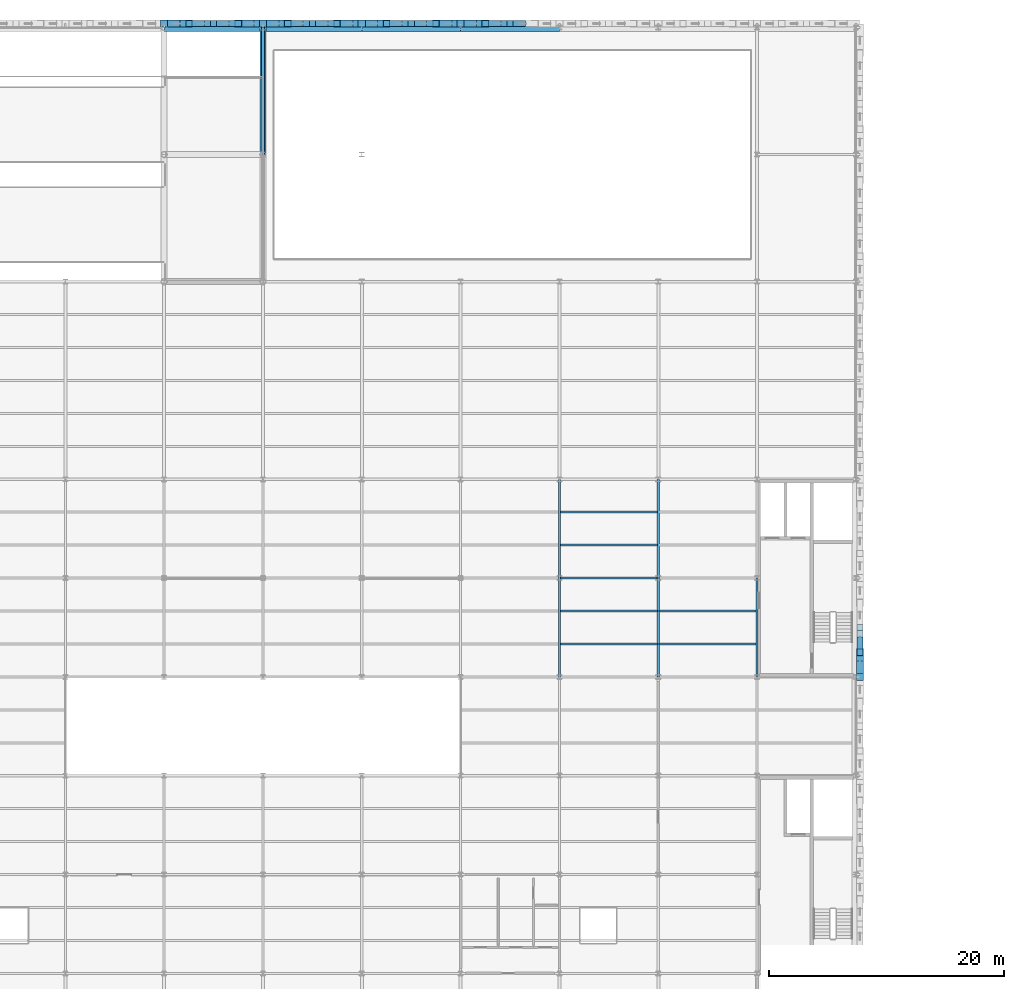
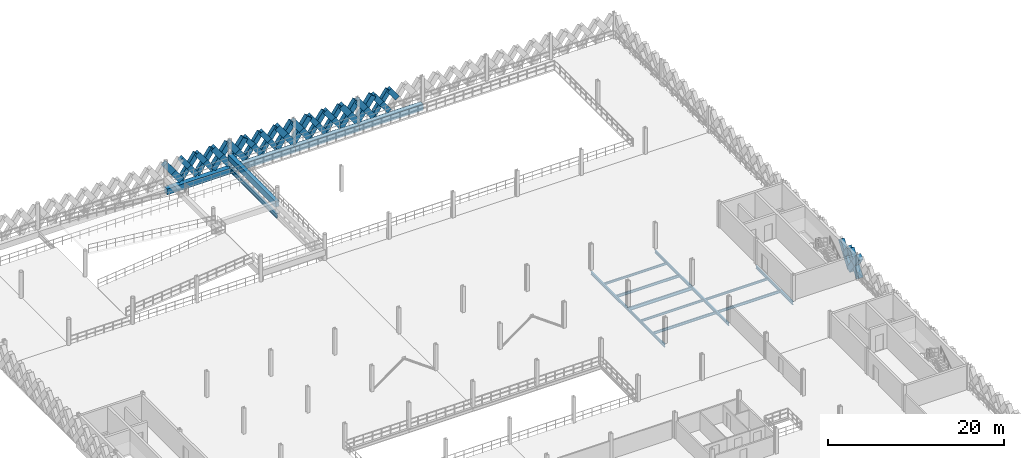
# One storey, part 31 of 79: 47 members, 18 beams.
"""IFC4 building model written with IfcOpenShell, lengths in metres."""

from ifc_helpers import new_model, si_unit, direction, frame, origin, origin_2d, place, context, subcontext, project, spatial, rectangle, i_section, extrude, material, material_profile, profile_set, type_object, element, save


model = new_model("IFC4")

# Units and contexts
model_context = context("Model", 3, precision=1e-05, world=origin(), true_north=direction((0.0, 1.0)))
body_context = subcontext(model_context, "Body", "Model", "MODEL_VIEW")
ifc_project = project(units=[si_unit("LENGTHUNIT", "METRE"), si_unit("AREAUNIT", "SQUARE_METRE"), si_unit("VOLUMEUNIT", "CUBIC_METRE"), si_unit("PLANEANGLEUNIT", "RADIAN"), si_unit("MASSUNIT", "GRAM", prefix="KILO"), si_unit("THERMODYNAMICTEMPERATUREUNIT", "KELVIN"), si_unit("POWERUNIT", "WATT")], contexts=[model_context])

# Site, building, storey
site_placement = place(None, origin())
site = spatial("IfcSite", under=ifc_project, at=site_placement, CompositionType="ELEMENT")
building_placement = place(site_placement, origin())
building = spatial("IfcBuilding", under=site, at=building_placement, Name="Tembeka Court Mobility Hub", CompositionType="ELEMENT")
storey_placement = place(building_placement, frame((0.0, 0.0, 9.0)))
storey = spatial("IfcBuildingStorey", under=building, at=storey_placement, Name="L02", CompositionType="ELEMENT", Elevation=9.0)

# Beams
ifc_material_1 = material(Name="Steel S355", Category="steel")
ifc_material_profile_1 = material_profile(ifc_material_1, i_section(OverallWidth=0.18994140625, OverallDepth=0.45703125, WebThickness=0.009033203125, FlangeThickness=0.014404296875, FilletRadius=0.01025390625, at=origin_2d()), Name="UKB 457x191x74")
ifc_profile_set_1 = profile_set([ifc_material_profile_1], Name="Steel S355")
beam_type_1 = type_object("IfcBeamType", Name="BM-B01", PredefinedType="BEAM", material=ifc_profile_set_1)
beam_1_placement = place(storey_placement, frame((67.199951171875, 72.0, -0.448486328125), z_axis=(1.0, 0.0, 0.0), x_axis=(0.0, 1.0, 0.0)))
element("IfcBeam", 1, at=beam_1_placement, inside=storey, type_object=beam_type_1, Name="Beam B01 (BM-L02-X1270)", PredefinedType="BEAM", context=body_context, shape_type="SweptSolid", body=[
    extrude(i_section(OverallWidth=0.18994140625, OverallDepth=0.45703125, WebThickness=0.009033203125, FlangeThickness=0.014404296875, FilletRadius=0.01025390625, at=origin_2d()), origin(), (0.0, 0.0, 1.0), 8.400146484375),
])
ifc_material_profile_2 = material_profile(ifc_material_1, i_section(OverallWidth=0.177978515625, OverallDepth=0.406005859375, WebThickness=0.0078125, FlangeThickness=0.0126953125, FilletRadius=0.01025390625, at=origin_2d()), Name="UKB 406x178x60")
ifc_profile_set_2 = profile_set([ifc_material_profile_2], Name="Steel S355")
beam_type_2 = type_object("IfcBeamType", Name="BM-B02", PredefinedType="BEAM", material=ifc_profile_set_2)
for number, where, z_axis, x_axis, name in (
    (2, (67.199951171875, 63.60009765625, -0.423095703125), (0.0, 1.0, 0.0), (-1.0, 0.0, 0.0), "Beam B02 (BM-L02-Y1380)"),
    (3, (67.199951171875, 72.0, -0.423095703125), (0.0, 1.0, 0.0), (-1.0, 0.0, 0.0), "Beam B02 (BM-L02-Y1381)"),
    (4, (75.60009765625, 63.60009765625, -0.423095703125), (0.0, 1.0, 0.0), (-1.0, 0.0, 0.0), "Beam B02 (BM-L02-Y1387)"),
    (5, (75.60009765625, 72.0, -0.423095703125), (0.0, 1.0, 0.0), (-1.0, 0.0, 0.0), "Beam B02 (BM-L02-Y1388)"),
    (6, (84.0, 63.60009765625, -0.423095703125), (0.0, 1.0, 0.0), (-1.0, 0.0, 0.0), "Beam B02 (BM-L02-Y1396)"),
):
    element("IfcBeam", number, at=place(storey_placement, frame(where, z_axis=z_axis, x_axis=x_axis)), inside=storey, type_object=beam_type_2, Name=name, PredefinedType="BEAM", context=body_context, shape_type="SweptSolid", body=[
        extrude(i_section(OverallWidth=0.177978515625, OverallDepth=0.406005859375, WebThickness=0.0078125, FlangeThickness=0.0126953125, FilletRadius=0.01025390625, at=origin_2d()), origin(), (0.0, 0.0, 1.0), 8.39990234375),
    ])
ifc_material_2 = material(Name="Concrete C40/50", Category="concrete")
ifc_material_profile_3 = material_profile(ifc_material_2, rectangle(XDim=0.5, YDim=0.800048828125, at=origin_2d()), Name="RC-BM 500x800")
ifc_profile_set_3 = profile_set([ifc_material_profile_3], Name="Concrete C40/50")
beam_type_3 = type_object("IfcBeamType", Name="BM-B05", PredefinedType="BEAM", material=ifc_profile_set_3)
beam_2_placement = place(storey_placement, frame((42.0, 108.0, 1.14990234375), z_axis=(0.0, 1.0, 0.0), x_axis=(-1.0, 0.0, 0.0)))
element("IfcBeam", 7, at=beam_2_placement, inside=storey, type_object=beam_type_3, Name="Car park vehicle ramp North R1 L02 half-landing beam EE2", PredefinedType="BEAM", context=body_context, shape_type="SweptSolid", body=[
    extrude(rectangle(XDim=0.5, YDim=0.800048828125, at=origin_2d()), origin(), (0.0, 0.0, 1.0), 10.800048828125),
])
ifc_material_profile_4 = material_profile(ifc_material_1, i_section(OverallWidth=0.22900390625, OverallDepth=0.612060546875, WebThickness=0.011962890625, FlangeThickness=0.01953125, FilletRadius=0.0126953125, at=origin_2d()), Name="UKB 610x229x125")
ifc_profile_set_4 = profile_set([ifc_material_profile_4], Name="Steel S355")
beam_type_4 = type_object("IfcBeamType", Name="BM-G02", PredefinedType="USERDEFINED", material=ifc_profile_set_4)
beam_3_placement = place(storey_placement, frame((42.0, 108.0, -0.52587890625), z_axis=(0.0, 1.0, 0.0), x_axis=(-1.0, 0.0, 0.0)))
element("IfcBeam", 8, at=beam_3_placement, inside=storey, type_object=beam_type_4, Name="Beam G02 (BM-L02-Y1362)", ObjectType="GIRDER", PredefinedType="USERDEFINED", context=body_context, shape_type="SweptSolid", body=[
    extrude(i_section(OverallWidth=0.22900390625, OverallDepth=0.612060546875, WebThickness=0.011962890625, FlangeThickness=0.01953125, FilletRadius=0.0126953125, at=origin_2d()), origin(), (0.0, 0.0, 1.0), 10.800048828125),
])
ifc_material_profile_5 = material_profile(ifc_material_1, i_section(OverallWidth=0.1650390625, OverallDepth=0.303955078125, WebThickness=0.006103515625, FlangeThickness=0.01025390625, FilletRadius=0.0087890625, at=origin_2d()), Name="UKB 305x165x40")
ifc_profile_set_5 = profile_set([ifc_material_profile_5], Name="Steel S355")
beam_type_5 = type_object("IfcBeamType", Name="BM-J02", PredefinedType="JOIST", material=ifc_profile_set_5)
for number, where, z_axis, x_axis, name in (
    (9, (67.283935546875, 69.199951171875, -0.3720703125), (1.0, 0.0, 0.0), (0.0, 1.0, 0.0), "Beam J02 (JST-L02-1595)"),
    (10, (67.283935546875, 77.60009765625, -0.3720703125), (1.0, 0.0, 0.0), (0.0, 1.0, 0.0), "Beam J02 (JST-L02-1597)"),
):
    element("IfcBeam", number, at=place(storey_placement, frame(where, z_axis=z_axis, x_axis=x_axis)), inside=storey, type_object=beam_type_5, Name=name, PredefinedType="JOIST", context=body_context, shape_type="SweptSolid", body=[
        extrude(i_section(OverallWidth=0.1650390625, OverallDepth=0.303955078125, WebThickness=0.006103515625, FlangeThickness=0.01025390625, FilletRadius=0.0087890625, at=origin_2d()), origin(), (0.0, 0.0, 1.0), 8.232177734375),
    ])
beam_4_placement = place(storey_placement, frame((75.68408203125, 69.199951171875, -0.3720703125), z_axis=(1.0, 0.0, 0.0), x_axis=(0.0, 1.0, 0.0)))
element("IfcBeam", 11, at=beam_4_placement, inside=storey, type_object=beam_type_5, Name="Beam J02 (JST-L02-1615)", PredefinedType="JOIST", context=body_context, shape_type="SweptSolid", body=[
    extrude(i_section(OverallWidth=0.1650390625, OverallDepth=0.303955078125, WebThickness=0.006103515625, FlangeThickness=0.01025390625, FilletRadius=0.0087890625, at=origin_2d()), origin(), (0.0, 0.0, 1.0), 8.23193359375),
])
ifc_material_profile_6 = material_profile(ifc_material_1, i_section(OverallWidth=0.169921875, OverallDepth=0.360107421875, WebThickness=0.008056640625, FlangeThickness=0.0126953125, FilletRadius=0.01806640625, at=origin_2d()), Name="IPE 360")
ifc_profile_set_6 = profile_set([ifc_material_profile_6], Name="Steel S355")
beam_type_6 = type_object("IfcBeamType", Name="BM-J03", PredefinedType="JOIST", material=ifc_profile_set_6)
for number, where, z_axis, x_axis, name in (
    (12, (67.283935546875, 66.39990234375, -0.39990234375), (1.0, 0.0, 0.0), (0.0, 1.0, 0.0), "Beam J03 (JST-L02-1594)"),
    (13, (67.283935546875, 74.800048828125, -0.39990234375), (1.0, 0.0, 0.0), (0.0, 1.0, 0.0), "Beam J03 (JST-L02-1596)"),
):
    element("IfcBeam", number, at=place(storey_placement, frame(where, z_axis=z_axis, x_axis=x_axis)), inside=storey, type_object=beam_type_6, Name=name, PredefinedType="JOIST", context=body_context, shape_type="SweptSolid", body=[
        extrude(i_section(OverallWidth=0.169921875, OverallDepth=0.360107421875, WebThickness=0.008056640625, FlangeThickness=0.0126953125, FilletRadius=0.01806640625, at=origin_2d()), origin(), (0.0, 0.0, 1.0), 8.232177734375),
    ])
beam_5_placement = place(storey_placement, frame((75.68408203125, 66.39990234375, -0.39990234375), z_axis=(1.0, 0.0, 0.0), x_axis=(0.0, 1.0, 0.0)))
element("IfcBeam", 14, at=beam_5_placement, inside=storey, type_object=beam_type_6, Name="Beam J03 (JST-L02-1614)", PredefinedType="JOIST", context=body_context, shape_type="SweptSolid", body=[
    extrude(i_section(OverallWidth=0.169921875, OverallDepth=0.360107421875, WebThickness=0.008056640625, FlangeThickness=0.0126953125, FilletRadius=0.01806640625, at=origin_2d()), origin(), (0.0, 0.0, 1.0), 8.23193359375),
])
ifc_material_3 = material(Name="Precast concrete C45/55", Category="concrete")
ifc_material_profile_7 = material_profile(ifc_material_3, rectangle(XDim=0.64990234375, YDim=0.800048828125, at=origin_2d()), Name="PC-SP 650x800")
ifc_profile_set_7 = profile_set([ifc_material_profile_7], Name="Precast concrete C45/55")
beam_type_7 = type_object("IfcBeamType", Name="BM-SP01", PredefinedType="SPANDREL", material=ifc_profile_set_7)
for number, where, z_axis, x_axis, name in (
    (15, (33.60009765625, 118.800048828125, -0.6201171875), (1.0, 0.0, 0.0), (0.0, 1.0, 0.0), "Beam SP01 (BM-L02-X1300)"),
    (16, (42.0, 118.800048828125, -0.6201171875), (1.0, 0.0, 0.0), (0.0, 1.0, 0.0), "Beam SP01 (BM-L02-X1301)"),
):
    element("IfcBeam", number, at=place(storey_placement, frame(where, z_axis=z_axis, x_axis=x_axis)), inside=storey, type_object=beam_type_7, Name=name, PredefinedType="SPANDREL", context=body_context, shape_type="SweptSolid", body=[
        extrude(rectangle(XDim=0.64990234375, YDim=0.800048828125, at=origin_2d()), origin(), (0.0, 0.0, 1.0), 8.39990234375),
    ])
beam_6_placement = place(storey_placement, frame((50.39990234375, 118.800048828125, -0.6201171875), z_axis=(1.0, 0.0, 0.0), x_axis=(0.0, 1.0, 0.0)))
element("IfcBeam", 17, at=beam_6_placement, inside=storey, type_object=beam_type_7, Name="Beam SP01 (BM-L02-X1302)", PredefinedType="SPANDREL", context=body_context, shape_type="SweptSolid", body=[
    extrude(rectangle(XDim=0.64990234375, YDim=0.800048828125, at=origin_2d()), origin(), (0.0, 0.0, 1.0), 8.400146484375),
])
beam_7_placement = place(storey_placement, frame((58.800048828125, 118.800048828125, -0.6201171875), z_axis=(1.0, 0.0, 0.0), x_axis=(0.0, 1.0, 0.0)))
element("IfcBeam", 18, at=beam_7_placement, inside=storey, type_object=beam_type_7, Name="Beam SP01 (BM-L02-X1303)", PredefinedType="SPANDREL", context=body_context, shape_type="SweptSolid", body=[
    extrude(rectangle(XDim=0.64990234375, YDim=0.800048828125, at=origin_2d()), origin(), (0.0, 0.0, 1.0), 8.39990234375),
])

# Members
ifc_material_profile_8 = material_profile(ifc_material_3, rectangle(XDim=0.5, YDim=0.64990234375, at=origin_2d()), Name="PC-DIAG 500x650")
ifc_profile_set_8 = profile_set([ifc_material_profile_8], Name="Precast concrete C45/55")
member_type_1 = type_object("IfcMemberType", Name="MEM-DL01", PredefinedType="BRACE", material=ifc_profile_set_8)
member_1_placement = place(storey_placement, frame((35.699951171875, 119.139892578125, 0.02001953125), z_axis=(0.582576362011, 0.0, 0.812775973086), x_axis=(0.0, 1.0, 0.0)))
element("IfcMember", 19, at=member_1_placement, inside=storey, type_object=member_type_1, Name="Precast diamond lattice continuous strand DL01 (L02-250A)", PredefinedType="BRACE", context=body_context, shape_type="SweptSolid", body=[
    extrude(rectangle(XDim=0.5, YDim=0.64990234375, at=origin_2d()), origin(), (0.0, 0.0, 1.0), 3.604736328125),
])
member_2_placement = place(storey_placement, frame((37.800048828125, 119.139892578125, 0.02001953125), z_axis=(-0.582544294934, 0.0, 0.812798956963), x_axis=(0.0, -1.0, 0.0)))
element("IfcMember", 20, at=member_2_placement, inside=storey, type_object=member_type_1, Name="Precast diamond lattice split lower strand DL01 (L02-250B1)", PredefinedType="BRACE", context=body_context, shape_type="SweptSolid", body=[
    extrude(rectangle(XDim=0.5, YDim=0.64990234375, at=origin_2d()), origin(), (0.0, 0.0, 1.0), 1.802490234375),
])
member_3_placement = place(storey_placement, frame((36.75, 119.139892578125, 1.485107421875), z_axis=(-0.582608431711, 0.0, 0.812752985414), x_axis=(0.0, -1.0, 0.0)))
element("IfcMember", 21, at=member_3_placement, inside=storey, type_object=member_type_1, Name="Precast diamond lattice split upper strand DL01 (L02-250B2)", PredefinedType="BRACE", context=body_context, shape_type="SweptSolid", body=[
    extrude(rectangle(XDim=0.5, YDim=0.64990234375, at=origin_2d()), origin(), (0.0, 0.0, 1.0), 1.80224609375),
])
member_4_placement = place(storey_placement, frame((37.800048828125, 119.139892578125, 0.02001953125), z_axis=(0.58253161945, 0.0, 0.812808041509), x_axis=(0.0, 1.0, 0.0)))
element("IfcMember", 22, at=member_4_placement, inside=storey, type_object=member_type_1, Name="Precast diamond lattice continuous strand DL01 (L02-251A)", PredefinedType="BRACE", context=body_context, shape_type="SweptSolid", body=[
    extrude(rectangle(XDim=0.5, YDim=0.64990234375, at=origin_2d()), origin(), (0.0, 0.0, 1.0), 3.604736328125),
])
member_5_placement = place(storey_placement, frame((39.89990234375, 119.139892578125, 0.02001953125), z_axis=(-0.582454804382, 0.0, 0.812863088627), x_axis=(0.0, -1.0, 0.0)))
element("IfcMember", 23, at=member_5_placement, inside=storey, type_object=member_type_1, Name="Precast diamond lattice split lower strand DL01 (L02-251B1)", PredefinedType="BRACE", context=body_context, shape_type="SweptSolid", body=[
    extrude(rectangle(XDim=0.5, YDim=0.64990234375, at=origin_2d()), origin(), (0.0, 0.0, 1.0), 1.802490234375),
])
member_6_placement = place(storey_placement, frame((38.85009765625, 119.139892578125, 1.485107421875), z_axis=(-0.582608431711, 0.0, 0.812752985414), x_axis=(0.0, -1.0, 0.0)))
element("IfcMember", 24, at=member_6_placement, inside=storey, type_object=member_type_1, Name="Precast diamond lattice split upper strand DL01 (L02-251B2)", PredefinedType="BRACE", context=body_context, shape_type="SweptSolid", body=[
    extrude(rectangle(XDim=0.5, YDim=0.64990234375, at=origin_2d()), origin(), (0.0, 0.0, 1.0), 1.80224609375),
])
member_7_placement = place(storey_placement, frame((44.10009765625, 119.139892578125, 0.02001953125), z_axis=(0.58253161945, 0.0, 0.812808041509), x_axis=(0.0, 1.0, 0.0)))
element("IfcMember", 25, at=member_7_placement, inside=storey, type_object=member_type_1, Name="Precast diamond lattice continuous strand DL01 (L02-254A)", PredefinedType="BRACE", context=body_context, shape_type="SweptSolid", body=[
    extrude(rectangle(XDim=0.5, YDim=0.64990234375, at=origin_2d()), origin(), (0.0, 0.0, 1.0), 3.604736328125),
])
member_8_placement = place(storey_placement, frame((46.199951171875, 119.139892578125, 0.02001953125), z_axis=(-0.582544294934, 0.0, 0.812798956963), x_axis=(0.0, -1.0, 0.0)))
element("IfcMember", 26, at=member_8_placement, inside=storey, type_object=member_type_1, Name="Precast diamond lattice split lower strand DL01 (L02-254B1)", PredefinedType="BRACE", context=body_context, shape_type="SweptSolid", body=[
    extrude(rectangle(XDim=0.5, YDim=0.64990234375, at=origin_2d()), origin(), (0.0, 0.0, 1.0), 1.802490234375),
])
member_9_placement = place(storey_placement, frame((45.14990234375, 119.139892578125, 1.485107421875), z_axis=(-0.582518941428, 0.0, 0.812817127574), x_axis=(0.0, -1.0, 0.0)))
element("IfcMember", 27, at=member_9_placement, inside=storey, type_object=member_type_1, Name="Precast diamond lattice split upper strand DL01 (L02-254B2)", PredefinedType="BRACE", context=body_context, shape_type="SweptSolid", body=[
    extrude(rectangle(XDim=0.5, YDim=0.64990234375, at=origin_2d()), origin(), (0.0, 0.0, 1.0), 1.80224609375),
])
member_10_placement = place(storey_placement, frame((46.199951171875, 119.139892578125, 0.02001953125), z_axis=(0.582576362011, 0.0, 0.812775973086), x_axis=(0.0, 1.0, 0.0)))
element("IfcMember", 28, at=member_10_placement, inside=storey, type_object=member_type_1, Name="Precast diamond lattice continuous strand DL01 (L02-255A)", PredefinedType="BRACE", context=body_context, shape_type="SweptSolid", body=[
    extrude(rectangle(XDim=0.5, YDim=0.64990234375, at=origin_2d()), origin(), (0.0, 0.0, 1.0), 3.604736328125),
])
member_11_placement = place(storey_placement, frame((48.300048828125, 119.139892578125, 0.02001953125), z_axis=(-0.582544294934, 0.0, 0.812798956963), x_axis=(0.0, -1.0, 0.0)))
element("IfcMember", 29, at=member_11_placement, inside=storey, type_object=member_type_1, Name="Precast diamond lattice split lower strand DL01 (L02-255B1)", PredefinedType="BRACE", context=body_context, shape_type="SweptSolid", body=[
    extrude(rectangle(XDim=0.5, YDim=0.64990234375, at=origin_2d()), origin(), (0.0, 0.0, 1.0), 1.802490234375),
])
member_12_placement = place(storey_placement, frame((47.25, 119.139892578125, 1.485107421875), z_axis=(-0.582608431711, 0.0, 0.812752985414), x_axis=(0.0, -1.0, 0.0)))
element("IfcMember", 30, at=member_12_placement, inside=storey, type_object=member_type_1, Name="Precast diamond lattice split upper strand DL01 (L02-255B2)", PredefinedType="BRACE", context=body_context, shape_type="SweptSolid", body=[
    extrude(rectangle(XDim=0.5, YDim=0.64990234375, at=origin_2d()), origin(), (0.0, 0.0, 1.0), 1.80224609375),
])
member_13_placement = place(storey_placement, frame((52.5, 119.139892578125, 0.02001953125), z_axis=(0.582576362011, 0.0, 0.812775973086), x_axis=(0.0, 1.0, 0.0)))
element("IfcMember", 31, at=member_13_placement, inside=storey, type_object=member_type_1, Name="Precast diamond lattice continuous strand DL01 (L02-258A)", PredefinedType="BRACE", context=body_context, shape_type="SweptSolid", body=[
    extrude(rectangle(XDim=0.5, YDim=0.64990234375, at=origin_2d()), origin(), (0.0, 0.0, 1.0), 3.604736328125),
])
member_14_placement = place(storey_placement, frame((54.60009765625, 119.139892578125, 0.02001953125), z_axis=(-0.582544294934, 0.0, 0.812798956963), x_axis=(0.0, -1.0, 0.0)))
element("IfcMember", 32, at=member_14_placement, inside=storey, type_object=member_type_1, Name="Precast diamond lattice split lower strand DL01 (L02-258B1)", PredefinedType="BRACE", context=body_context, shape_type="SweptSolid", body=[
    extrude(rectangle(XDim=0.5, YDim=0.64990234375, at=origin_2d()), origin(), (0.0, 0.0, 1.0), 1.802490234375),
])
member_15_placement = place(storey_placement, frame((53.550048828125, 119.139892578125, 1.485107421875), z_axis=(-0.582608431711, 0.0, 0.812752985414), x_axis=(0.0, -1.0, 0.0)))
element("IfcMember", 33, at=member_15_placement, inside=storey, type_object=member_type_1, Name="Precast diamond lattice split upper strand DL01 (L02-258B2)", PredefinedType="BRACE", context=body_context, shape_type="SweptSolid", body=[
    extrude(rectangle(XDim=0.5, YDim=0.64990234375, at=origin_2d()), origin(), (0.0, 0.0, 1.0), 1.80224609375),
])
member_16_placement = place(storey_placement, frame((54.60009765625, 119.139892578125, 0.02001953125), z_axis=(0.58253161945, 0.0, 0.812808041509), x_axis=(0.0, 1.0, 0.0)))
element("IfcMember", 34, at=member_16_placement, inside=storey, type_object=member_type_1, Name="Precast diamond lattice continuous strand DL01 (L02-259A)", PredefinedType="BRACE", context=body_context, shape_type="SweptSolid", body=[
    extrude(rectangle(XDim=0.5, YDim=0.64990234375, at=origin_2d()), origin(), (0.0, 0.0, 1.0), 3.604736328125),
])
member_17_placement = place(storey_placement, frame((56.699951171875, 119.139892578125, 0.02001953125), z_axis=(-0.582544294934, 0.0, 0.812798956963), x_axis=(0.0, -1.0, 0.0)))
element("IfcMember", 35, at=member_17_placement, inside=storey, type_object=member_type_1, Name="Precast diamond lattice split lower strand DL01 (L02-259B1)", PredefinedType="BRACE", context=body_context, shape_type="SweptSolid", body=[
    extrude(rectangle(XDim=0.5, YDim=0.64990234375, at=origin_2d()), origin(), (0.0, 0.0, 1.0), 1.802490234375),
])
member_18_placement = place(storey_placement, frame((55.64990234375, 119.139892578125, 1.485107421875), z_axis=(-0.582518941428, 0.0, 0.812817127574), x_axis=(0.0, -1.0, 0.0)))
element("IfcMember", 36, at=member_18_placement, inside=storey, type_object=member_type_1, Name="Precast diamond lattice split upper strand DL01 (L02-259B2)", PredefinedType="BRACE", context=body_context, shape_type="SweptSolid", body=[
    extrude(rectangle(XDim=0.5, YDim=0.64990234375, at=origin_2d()), origin(), (0.0, 0.0, 1.0), 1.80224609375),
])
member_19_placement = place(storey_placement, frame((60.89990234375, 119.139892578125, 0.02001953125), z_axis=(0.582576362011, 0.0, 0.812775973086), x_axis=(0.0, 1.0, 0.0)))
element("IfcMember", 37, at=member_19_placement, inside=storey, type_object=member_type_1, Name="Precast diamond lattice continuous strand DL01 (L02-262A)", PredefinedType="BRACE", context=body_context, shape_type="SweptSolid", body=[
    extrude(rectangle(XDim=0.5, YDim=0.64990234375, at=origin_2d()), origin(), (0.0, 0.0, 1.0), 3.604736328125),
])
member_20_placement = place(storey_placement, frame((63.0, 119.139892578125, 0.02001953125), z_axis=(-0.582544294934, 0.0, 0.812798956963), x_axis=(0.0, -1.0, 0.0)))
element("IfcMember", 38, at=member_20_placement, inside=storey, type_object=member_type_1, Name="Precast diamond lattice split lower strand DL01 (L02-262B1)", PredefinedType="BRACE", context=body_context, shape_type="SweptSolid", body=[
    extrude(rectangle(XDim=0.5, YDim=0.64990234375, at=origin_2d()), origin(), (0.0, 0.0, 1.0), 1.802490234375),
])
for number, where, z_axis, x_axis, name in (
    (39, (61.949951171875, 119.139892578125, 1.485107421875), (-0.582608431711, 0.0, 0.812752985414), (0.0, -1.0, 0.0), "Precast diamond lattice split upper strand DL01 (L02-262B2)"),
    (40, (64.050048828125, 119.139892578125, 1.485107421875), (-0.582608431711, 0.0, 0.812752985414), (0.0, -1.0, 0.0), "Precast diamond lattice split upper strand DL01 (L02-263B2)"),
):
    element("IfcMember", number, at=place(storey_placement, frame(where, z_axis=z_axis, x_axis=x_axis)), inside=storey, type_object=member_type_1, Name=name, PredefinedType="BRACE", context=body_context, shape_type="SweptSolid", body=[
        extrude(rectangle(XDim=0.5, YDim=0.64990234375, at=origin_2d()), origin(), (0.0, 0.0, 1.0), 1.80224609375),
    ])
member_21_placement = place(storey_placement, frame((92.739990234375, 65.699951171875, 0.02001953125), z_axis=(0.0, 0.582576362011, 0.812775973086), x_axis=(-1.0, 0.0, 0.0)))
element("IfcMember", 41, at=member_21_placement, inside=storey, type_object=member_type_1, Name="Precast diamond lattice continuous strand DL01 (L02-364C)", PredefinedType="BRACE", context=body_context, shape_type="SweptSolid", body=[
    extrude(rectangle(XDim=0.5, YDim=0.64990234375, at=origin_2d()), origin(), (0.0, 0.0, 1.0), 3.604736328125),
])
member_22_placement = place(storey_placement, frame((92.739990234375, 66.75, 1.485107421875), z_axis=(0.0, -0.582608431711, 0.812752985414), x_axis=(1.0, 0.0, 0.0)))
element("IfcMember", 42, at=member_22_placement, inside=storey, type_object=member_type_1, Name="Precast diamond lattice split upper strand DL01 (L02-364D2)", PredefinedType="BRACE", context=body_context, shape_type="SweptSolid", body=[
    extrude(rectangle(XDim=0.5, YDim=0.64990234375, at=origin_2d()), origin(), (0.0, 0.0, 1.0), 1.80224609375),
])
ifc_material_profile_9 = material_profile(ifc_material_3, rectangle(XDim=0.60009765625, YDim=0.75, at=origin_2d()), Name="PC-DIAG 600x750")
ifc_profile_set_9 = profile_set([ifc_material_profile_9], Name="Precast concrete C45/55")
member_type_2 = type_object("IfcMemberType", Name="MEM-DL02", PredefinedType="BRACE", material=ifc_profile_set_9)
member_23_placement = place(storey_placement, frame((35.699951171875, 119.139892578125, 0.02001953125), z_axis=(-0.582544294934, 0.0, 0.812798956963), x_axis=(0.0, -1.0, 0.0)))
element("IfcMember", 43, at=member_23_placement, inside=storey, type_object=member_type_2, Name="Precast diamond lattice split lower strand DL02 (L02-249B1)", PredefinedType="BRACE", context=body_context, shape_type="SweptSolid", body=[
    extrude(rectangle(XDim=0.60009765625, YDim=0.75, at=origin_2d()), origin(), (0.0, 0.0, 1.0), 1.802490234375),
])
member_24_placement = place(storey_placement, frame((34.64990234375, 119.139892578125, 1.485107421875), z_axis=(-0.582518941428, 0.0, 0.812817127574), x_axis=(0.0, -1.0, 0.0)))
element("IfcMember", 44, at=member_24_placement, inside=storey, type_object=member_type_2, Name="Precast diamond lattice split upper strand DL02 (L02-249B2)", PredefinedType="BRACE", context=body_context, shape_type="SweptSolid", body=[
    extrude(rectangle(XDim=0.60009765625, YDim=0.75, at=origin_2d()), origin(), (0.0, 0.0, 1.0), 1.80224609375),
])
member_25_placement = place(storey_placement, frame((39.89990234375, 119.139892578125, 0.02001953125), z_axis=(0.582576362011, 0.0, 0.812775973086), x_axis=(0.0, 1.0, 0.0)))
element("IfcMember", 45, at=member_25_placement, inside=storey, type_object=member_type_2, Name="Precast diamond lattice continuous strand DL02 (L02-252A)", PredefinedType="BRACE", context=body_context, shape_type="SweptSolid", body=[
    extrude(rectangle(XDim=0.60009765625, YDim=0.75, at=origin_2d()), origin(), (0.0, 0.0, 1.0), 3.604736328125),
])
member_26_placement = place(storey_placement, frame((42.0, 119.139892578125, 0.02001953125), z_axis=(-0.582544294934, 0.0, 0.812798956963), x_axis=(0.0, -1.0, 0.0)))
element("IfcMember", 46, at=member_26_placement, inside=storey, type_object=member_type_2, Name="Precast diamond lattice split lower strand DL02 (L02-252B1)", PredefinedType="BRACE", context=body_context, shape_type="SweptSolid", body=[
    extrude(rectangle(XDim=0.60009765625, YDim=0.75, at=origin_2d()), origin(), (0.0, 0.0, 1.0), 1.802490234375),
])
member_27_placement = place(storey_placement, frame((40.949951171875, 119.139892578125, 1.485107421875), z_axis=(-0.582608431711, 0.0, 0.812752985414), x_axis=(0.0, -1.0, 0.0)))
element("IfcMember", 47, at=member_27_placement, inside=storey, type_object=member_type_2, Name="Precast diamond lattice split upper strand DL02 (L02-252B2)", PredefinedType="BRACE", context=body_context, shape_type="SweptSolid", body=[
    extrude(rectangle(XDim=0.60009765625, YDim=0.75, at=origin_2d()), origin(), (0.0, 0.0, 1.0), 1.80224609375),
])
member_28_placement = place(storey_placement, frame((42.0, 119.139892578125, 0.02001953125), z_axis=(0.582576362011, 0.0, 0.812775973086), x_axis=(0.0, 1.0, 0.0)))
element("IfcMember", 48, at=member_28_placement, inside=storey, type_object=member_type_2, Name="Precast diamond lattice continuous strand DL02 (L02-253A)", PredefinedType="BRACE", context=body_context, shape_type="SweptSolid", body=[
    extrude(rectangle(XDim=0.60009765625, YDim=0.75, at=origin_2d()), origin(), (0.0, 0.0, 1.0), 3.604736328125),
])
member_29_placement = place(storey_placement, frame((44.10009765625, 119.139892578125, 0.02001953125), z_axis=(-0.582544294934, 0.0, 0.812798956963), x_axis=(0.0, -1.0, 0.0)))
element("IfcMember", 49, at=member_29_placement, inside=storey, type_object=member_type_2, Name="Precast diamond lattice split lower strand DL02 (L02-253B1)", PredefinedType="BRACE", context=body_context, shape_type="SweptSolid", body=[
    extrude(rectangle(XDim=0.60009765625, YDim=0.75, at=origin_2d()), origin(), (0.0, 0.0, 1.0), 1.802490234375),
])
member_30_placement = place(storey_placement, frame((43.050048828125, 119.139892578125, 1.485107421875), z_axis=(-0.582608431711, 0.0, 0.812752985414), x_axis=(0.0, -1.0, 0.0)))
element("IfcMember", 50, at=member_30_placement, inside=storey, type_object=member_type_2, Name="Precast diamond lattice split upper strand DL02 (L02-253B2)", PredefinedType="BRACE", context=body_context, shape_type="SweptSolid", body=[
    extrude(rectangle(XDim=0.60009765625, YDim=0.75, at=origin_2d()), origin(), (0.0, 0.0, 1.0), 1.80224609375),
])
member_31_placement = place(storey_placement, frame((48.300048828125, 119.139892578125, 0.02001953125), z_axis=(0.58253161945, 0.0, 0.812808041509), x_axis=(0.0, 1.0, 0.0)))
element("IfcMember", 51, at=member_31_placement, inside=storey, type_object=member_type_2, Name="Precast diamond lattice continuous strand DL02 (L02-256A)", PredefinedType="BRACE", context=body_context, shape_type="SweptSolid", body=[
    extrude(rectangle(XDim=0.60009765625, YDim=0.75, at=origin_2d()), origin(), (0.0, 0.0, 1.0), 3.604736328125),
])
member_32_placement = place(storey_placement, frame((50.39990234375, 119.139892578125, 0.02001953125), z_axis=(-0.582454804382, 0.0, 0.812863088627), x_axis=(0.0, -1.0, 0.0)))
element("IfcMember", 52, at=member_32_placement, inside=storey, type_object=member_type_2, Name="Precast diamond lattice split lower strand DL02 (L02-256B1)", PredefinedType="BRACE", context=body_context, shape_type="SweptSolid", body=[
    extrude(rectangle(XDim=0.60009765625, YDim=0.75, at=origin_2d()), origin(), (0.0, 0.0, 1.0), 1.802490234375),
])
member_33_placement = place(storey_placement, frame((49.35009765625, 119.139892578125, 1.485107421875), z_axis=(-0.582608431711, 0.0, 0.812752985414), x_axis=(0.0, -1.0, 0.0)))
element("IfcMember", 53, at=member_33_placement, inside=storey, type_object=member_type_2, Name="Precast diamond lattice split upper strand DL02 (L02-256B2)", PredefinedType="BRACE", context=body_context, shape_type="SweptSolid", body=[
    extrude(rectangle(XDim=0.60009765625, YDim=0.75, at=origin_2d()), origin(), (0.0, 0.0, 1.0), 1.80224609375),
])
member_34_placement = place(storey_placement, frame((50.39990234375, 119.139892578125, 0.02001953125), z_axis=(0.582576362011, 0.0, 0.812775973086), x_axis=(0.0, 1.0, 0.0)))
element("IfcMember", 54, at=member_34_placement, inside=storey, type_object=member_type_2, Name="Precast diamond lattice continuous strand DL02 (L02-257A)", PredefinedType="BRACE", context=body_context, shape_type="SweptSolid", body=[
    extrude(rectangle(XDim=0.60009765625, YDim=0.75, at=origin_2d()), origin(), (0.0, 0.0, 1.0), 3.604736328125),
])
member_35_placement = place(storey_placement, frame((52.5, 119.139892578125, 0.02001953125), z_axis=(-0.582544294934, 0.0, 0.812798956963), x_axis=(0.0, -1.0, 0.0)))
element("IfcMember", 55, at=member_35_placement, inside=storey, type_object=member_type_2, Name="Precast diamond lattice split lower strand DL02 (L02-257B1)", PredefinedType="BRACE", context=body_context, shape_type="SweptSolid", body=[
    extrude(rectangle(XDim=0.60009765625, YDim=0.75, at=origin_2d()), origin(), (0.0, 0.0, 1.0), 1.802490234375),
])
member_36_placement = place(storey_placement, frame((51.449951171875, 119.139892578125, 1.485107421875), z_axis=(-0.582608431711, 0.0, 0.812752985414), x_axis=(0.0, -1.0, 0.0)))
element("IfcMember", 56, at=member_36_placement, inside=storey, type_object=member_type_2, Name="Precast diamond lattice split upper strand DL02 (L02-257B2)", PredefinedType="BRACE", context=body_context, shape_type="SweptSolid", body=[
    extrude(rectangle(XDim=0.60009765625, YDim=0.75, at=origin_2d()), origin(), (0.0, 0.0, 1.0), 1.80224609375),
])
member_37_placement = place(storey_placement, frame((56.699951171875, 119.139892578125, 0.02001953125), z_axis=(0.582576362011, 0.0, 0.812775973086), x_axis=(0.0, 1.0, 0.0)))
element("IfcMember", 57, at=member_37_placement, inside=storey, type_object=member_type_2, Name="Precast diamond lattice continuous strand DL02 (L02-260A)", PredefinedType="BRACE", context=body_context, shape_type="SweptSolid", body=[
    extrude(rectangle(XDim=0.60009765625, YDim=0.75, at=origin_2d()), origin(), (0.0, 0.0, 1.0), 3.604736328125),
])
member_38_placement = place(storey_placement, frame((58.800048828125, 119.139892578125, 0.02001953125), z_axis=(-0.582544294934, 0.0, 0.812798956963), x_axis=(0.0, -1.0, 0.0)))
element("IfcMember", 58, at=member_38_placement, inside=storey, type_object=member_type_2, Name="Precast diamond lattice split lower strand DL02 (L02-260B1)", PredefinedType="BRACE", context=body_context, shape_type="SweptSolid", body=[
    extrude(rectangle(XDim=0.60009765625, YDim=0.75, at=origin_2d()), origin(), (0.0, 0.0, 1.0), 1.802490234375),
])
member_39_placement = place(storey_placement, frame((57.75, 119.139892578125, 1.485107421875), z_axis=(-0.582608431711, 0.0, 0.812752985414), x_axis=(0.0, -1.0, 0.0)))
element("IfcMember", 59, at=member_39_placement, inside=storey, type_object=member_type_2, Name="Precast diamond lattice split upper strand DL02 (L02-260B2)", PredefinedType="BRACE", context=body_context, shape_type="SweptSolid", body=[
    extrude(rectangle(XDim=0.60009765625, YDim=0.75, at=origin_2d()), origin(), (0.0, 0.0, 1.0), 1.80224609375),
])
member_40_placement = place(storey_placement, frame((58.800048828125, 119.139892578125, 0.02001953125), z_axis=(0.58253161945, 0.0, 0.812808041509), x_axis=(0.0, 1.0, 0.0)))
element("IfcMember", 60, at=member_40_placement, inside=storey, type_object=member_type_2, Name="Precast diamond lattice continuous strand DL02 (L02-261A)", PredefinedType="BRACE", context=body_context, shape_type="SweptSolid", body=[
    extrude(rectangle(XDim=0.60009765625, YDim=0.75, at=origin_2d()), origin(), (0.0, 0.0, 1.0), 3.604736328125),
])
member_41_placement = place(storey_placement, frame((60.89990234375, 119.139892578125, 0.02001953125), z_axis=(-0.582454804382, 0.0, 0.812863088627), x_axis=(0.0, -1.0, 0.0)))
element("IfcMember", 61, at=member_41_placement, inside=storey, type_object=member_type_2, Name="Precast diamond lattice split lower strand DL02 (L02-261B1)", PredefinedType="BRACE", context=body_context, shape_type="SweptSolid", body=[
    extrude(rectangle(XDim=0.60009765625, YDim=0.75, at=origin_2d()), origin(), (0.0, 0.0, 1.0), 1.802490234375),
])
member_42_placement = place(storey_placement, frame((59.85009765625, 119.139892578125, 1.485107421875), z_axis=(-0.582608431711, 0.0, 0.812752985414), x_axis=(0.0, -1.0, 0.0)))
element("IfcMember", 62, at=member_42_placement, inside=storey, type_object=member_type_2, Name="Precast diamond lattice split upper strand DL02 (L02-261B2)", PredefinedType="BRACE", context=body_context, shape_type="SweptSolid", body=[
    extrude(rectangle(XDim=0.60009765625, YDim=0.75, at=origin_2d()), origin(), (0.0, 0.0, 1.0), 1.80224609375),
])
member_43_placement = place(storey_placement, frame((92.739990234375, 63.60009765625, 0.02001953125), z_axis=(0.0, 0.58253161945, 0.812808041509), x_axis=(-1.0, 0.0, 0.0)))
element("IfcMember", 63, at=member_43_placement, inside=storey, type_object=member_type_2, Name="Precast diamond lattice continuous strand DL02 (L02-363C)", PredefinedType="BRACE", context=body_context, shape_type="SweptSolid", body=[
    extrude(rectangle(XDim=0.60009765625, YDim=0.75, at=origin_2d()), origin(), (0.0, 0.0, 1.0), 3.604736328125),
])
member_44_placement = place(storey_placement, frame((92.739990234375, 65.699951171875, 0.02001953125), z_axis=(0.0, -0.582544294934, 0.812798956963), x_axis=(1.0, 0.0, 0.0)))
element("IfcMember", 64, at=member_44_placement, inside=storey, type_object=member_type_2, Name="Precast diamond lattice split lower strand DL02 (L02-363D1)", PredefinedType="BRACE", context=body_context, shape_type="SweptSolid", body=[
    extrude(rectangle(XDim=0.60009765625, YDim=0.75, at=origin_2d()), origin(), (0.0, 0.0, 1.0), 1.802490234375),
])
member_45_placement = place(storey_placement, frame((92.739990234375, 64.64990234375, 1.485107421875), z_axis=(0.0, -0.582518941428, 0.812817127574), x_axis=(1.0, 0.0, 0.0)))
element("IfcMember", 65, at=member_45_placement, inside=storey, type_object=member_type_2, Name="Precast diamond lattice split upper strand DL02 (L02-363D2)", PredefinedType="BRACE", context=body_context, shape_type="SweptSolid", body=[
    extrude(rectangle(XDim=0.60009765625, YDim=0.75, at=origin_2d()), origin(), (0.0, 0.0, 1.0), 1.80224609375),
])

save(model, "model.ifc")
